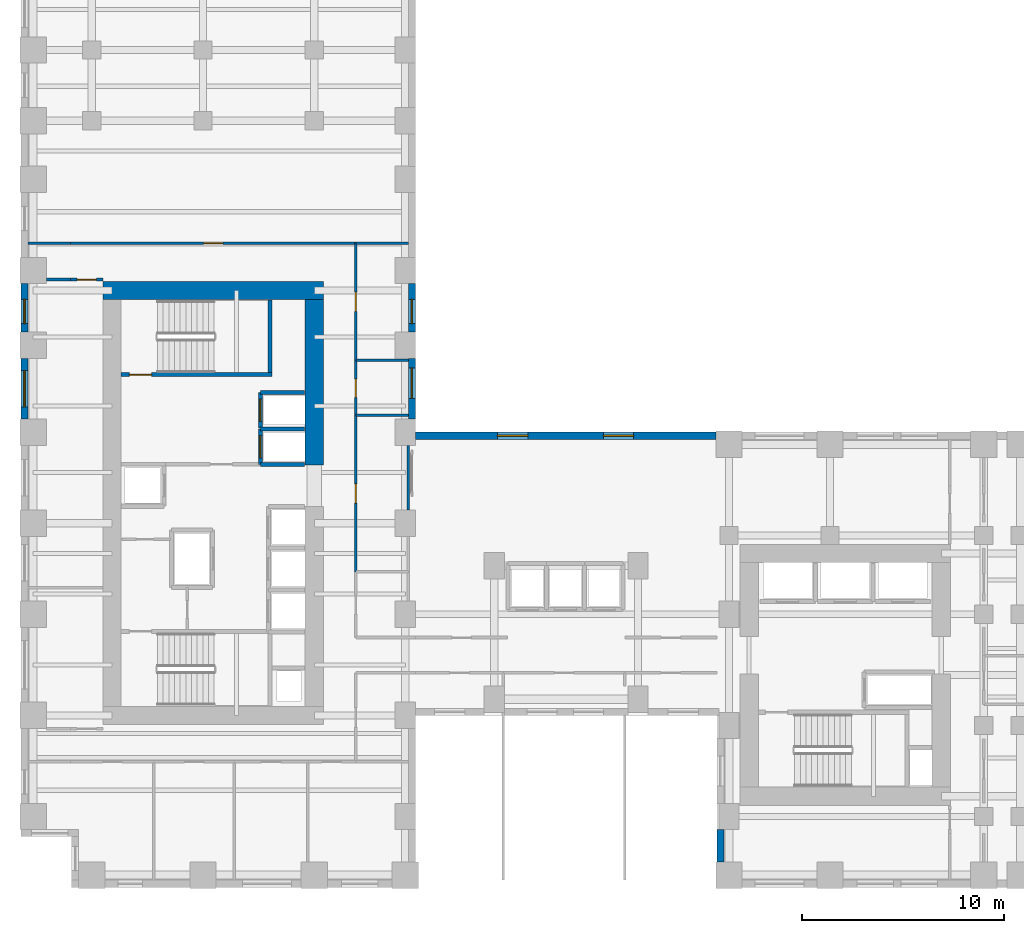
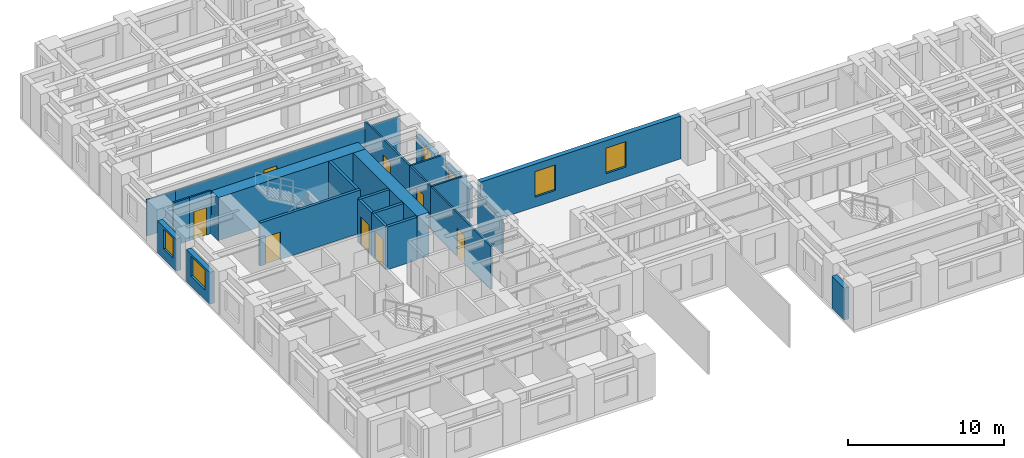
# One storey, part 7 of 12: 26 walls, 8 doors, 6 windows, 14 openings.
"""IFC4 building model written with IfcOpenShell, lengths in metres."""

from ifc_helpers import new_model, si_unit, direction, frame, frame_2d, origin, place, context, subcontext, project, spatial, rectangle, extrude, source, transform, mapped, material, layer, layer_set, type_object, element, fill, save


model = new_model("IFC4")

# Units and contexts
model_context = context("Model", 3, precision=1e-05, world=origin(), true_north=direction((0.0, 1.0)))
body_context = subcontext(model_context, "Body", "Model", "MODEL_VIEW")
ifc_project = project(units=[si_unit("LENGTHUNIT", "METRE"), si_unit("AREAUNIT", "SQUARE_METRE"), si_unit("VOLUMEUNIT", "CUBIC_METRE"), si_unit("PLANEANGLEUNIT", "RADIAN"), si_unit("MASSUNIT", "GRAM", prefix="KILO")], contexts=[model_context])

# Site, building, storey
site_placement = place(None, origin())
site = spatial("IfcSite", under=ifc_project, at=site_placement, CompositionType="ELEMENT")
building_placement = place(site_placement, origin())
building = spatial("IfcBuilding", under=site, at=building_placement, Name="Kharzan Plaza Tower", CompositionType="ELEMENT")
storey_placement = place(building_placement, frame((0.0, 0.0, 51.300048828125)))
storey = spatial("IfcBuildingStorey", under=building, at=storey_placement, Name="L13", CompositionType="ELEMENT", Elevation=51.300048828125)

# Wall, opening, window
ifc_material_1 = material(Name="Concrete C40/50", Category="concrete")
ifc_layer_1 = layer(ifc_material_1, 0.35009765625)
ifc_layer_set_1 = layer_set([ifc_layer_1], Name="Concrete C40/50")
wall_type_1 = type_object("IfcWallType", Name="WL-EXT-MAS-Z1", PredefinedType="SOLIDWALL", material=ifc_layer_set_1)
wall_1_placement = place(storey_placement, frame((0.175048828125, 29.85205078125, 0.0), z_axis=(0.0, 0.0, 1.0), x_axis=(0.0, -1.0, 0.0)))
wall_1 = element("IfcWall", 1, at=wall_1_placement, inside=storey, type_object=wall_type_1, Name="L13 Masonry-Frame Exterior Wall 14", PredefinedType="SOLIDWALL", context=body_context, shape_type="SweptSolid", body=[
    extrude(rectangle(XDim=2.404052734375, YDim=0.35009765625, at=frame_2d((1.2021484375, 0.0))), origin(), (0.0, 0.0, 1.0), 2.510009765625),
])
opening_1_placement = place(wall_1_placement, frame((0.786865234375, 0.0, 0.780029296875)))
opening_1 = element("IfcOpeningElement", 2, at=opening_1_placement, cuts=wall_1, Name="Opening W3", PredefinedType="OPENING", context=body_context, shape_type="SweptSolid", body=[
    extrude(rectangle(XDim=1.199951171875, YDim=1.550048828125, at=frame_2d((0.60009765625, 0.77490234375))), frame((0.0, 0.18505859375, 0.0), z_axis=(0.0, -1.0, 0.0), x_axis=(1.0, 0.0, 0.0)), (0.0, 0.0, 1.0), 0.3701171875),
])
ifc_material_2 = material(Name="Low-E Double Glazing", Category="glass")
window_type_1 = type_object("IfcWindowType", Name="WN-REC-1200x2100", PartitioningType="SINGLE_PANEL", PredefinedType="WINDOW", material=ifc_material_2)
shared_shape_1 = source(origin(), body_context, "Body", "SweptSolid", [
    extrude(rectangle(XDim=1.199951171875, YDim=1.550048828125, at=frame_2d((0.60009765625, 0.77490234375))), frame((0.0, 0.030029296875, 0.0), z_axis=(0.0, -1.0, 0.0), x_axis=(1.0, 0.0, 0.0)), (0.0, 0.0, 1.0), 0.06005859375),
])
window_1_placement = place(opening_1_placement, origin())
window_1 = element("IfcWindow", 3, at=window_1_placement, inside=storey, type_object=window_type_1, Name="L13 Recessed Solar-Control Window 14-1", OverallHeight=1.550048828125, OverallWidth=1.199951171875, PartitioningType="SINGLE_PANEL", PredefinedType="WINDOW", context=body_context, shape_type="MappedRepresentation", body=[
    mapped(shared_shape_1, transform((0.0, 0.0, 0.0), x_axis=(1.0, 0.0, 0.0), y_axis=(0.0, 1.0, 0.0), z_axis=(0.0, 0.0, 1.0))),
])
fill(opening_1, window_1)

wall_2_placement = place(storey_placement, frame((0.175048828125, 26.152099609375, 0.0), z_axis=(0.0, 0.0, 1.0), x_axis=(0.0, -1.0, 0.0)))
wall_2 = element("IfcWall", 4, at=wall_2_placement, inside=storey, type_object=wall_type_1, Name="L13 Masonry-Frame Exterior Wall 15", PredefinedType="SOLIDWALL", context=body_context, shape_type="SweptSolid", body=[
    extrude(rectangle(XDim=3.004150390625, YDim=0.35009765625, at=frame_2d((1.501953125, 0.0))), origin(), (0.0, 0.0, 1.0), 2.510009765625),
])
opening_2_placement = place(wall_2_placement, frame((0.60205078125, 0.0, 0.780029296875)))
opening_2 = element("IfcOpeningElement", 5, at=opening_2_placement, cuts=wall_2, Name="Opening W1", PredefinedType="OPENING", context=body_context, shape_type="SweptSolid", body=[
    extrude(rectangle(XDim=1.800048828125, YDim=1.550048828125, at=frame_2d((0.89990234375, 0.77490234375))), frame((0.0, 0.18505859375, 0.0), z_axis=(0.0, -1.0, 0.0), x_axis=(1.0, 0.0, 0.0)), (0.0, 0.0, 1.0), 0.3701171875),
])
window_type_2 = type_object("IfcWindowType", Name="WN-REC-1800x2100", PartitioningType="SINGLE_PANEL", PredefinedType="WINDOW", material=ifc_material_2)
shared_shape_2 = source(origin(), body_context, "Body", "SweptSolid", [
    extrude(rectangle(XDim=1.800048828125, YDim=1.550048828125, at=frame_2d((0.89990234375, 0.77490234375))), frame((0.0, 0.030029296875, 0.0), z_axis=(0.0, -1.0, 0.0), x_axis=(1.0, 0.0, 0.0)), (0.0, 0.0, 1.0), 0.06005859375),
])
window_2_placement = place(opening_2_placement, origin())
window_2 = element("IfcWindow", 6, at=window_2_placement, inside=storey, type_object=window_type_2, Name="L13 Recessed Solar-Control Window 15-1", OverallHeight=1.550048828125, OverallWidth=1.800048828125, PartitioningType="SINGLE_PANEL", PredefinedType="WINDOW", context=body_context, shape_type="MappedRepresentation", body=[
    mapped(shared_shape_2, transform((0.0, 0.0, 0.0), x_axis=(1.0, 0.0, 0.0), y_axis=(0.0, 1.0, 0.0), z_axis=(0.0, 0.0, 1.0))),
])
fill(opening_2, window_2)

# Wall, openings, windows
wall_3_placement = place(storey_placement, frame((34.35205078125, 22.324951171875, 0.0), z_axis=(0.0, 0.0, 1.0), x_axis=(-1.0, 0.0, 0.0)))
wall_3 = element("IfcWall", 7, at=wall_3_placement, inside=storey, type_object=wall_type_1, Name="L13 Masonry-Frame Exterior Wall 53", PredefinedType="SOLIDWALL", context=body_context, shape_type="SweptSolid", body=[
    extrude(rectangle(XDim=14.85400390625, YDim=0.35009765625, at=frame_2d((7.427001953125, 0.0))), origin(), (0.0, 0.0, 1.0), 3.364990234375),
])
opening_3_placement = place(wall_3_placement, frame((4.05810546875, 0.0, 0.780029296875)))
opening_3 = element("IfcOpeningElement", 8, at=opening_3_placement, cuts=wall_3, Name="Opening W5", PredefinedType="OPENING", context=body_context, shape_type="SweptSolid", body=[
    extrude(rectangle(XDim=1.5, YDim=2.0, at=frame_2d((0.75, 1.0))), frame((0.0, 0.18505859375, 0.0), z_axis=(0.0, -1.0, 0.0), x_axis=(1.0, 0.0, 0.0)), (0.0, 0.0, 1.0), 0.3701171875),
])
opening_4_placement = place(wall_3_placement, frame((9.2958984375, 0.0, 0.780029296875)))
opening_4 = element("IfcOpeningElement", 9, at=opening_4_placement, cuts=wall_3, Name="Opening W5", PredefinedType="OPENING", context=body_context, shape_type="SweptSolid", body=[
    extrude(rectangle(XDim=1.5, YDim=2.0, at=frame_2d((0.75, 1.0))), frame((0.0, 0.18505859375, 0.0), z_axis=(0.0, -1.0, 0.0), x_axis=(1.0, 0.0, 0.0)), (0.0, 0.0, 1.0), 0.3701171875),
])
window_type_3 = type_object("IfcWindowType", Name="WN-SLT-1500x2000", PartitioningType="SINGLE_PANEL", PredefinedType="WINDOW", material=ifc_material_2)
shared_shape_3 = source(origin(), body_context, "Body", "SweptSolid", [
    extrude(rectangle(XDim=1.5, YDim=2.0, at=frame_2d((0.75, 1.0))), frame((0.0, 0.030029296875, 0.0), z_axis=(0.0, -1.0, 0.0), x_axis=(1.0, 0.0, 0.0)), (0.0, 0.0, 1.0), 0.06005859375),
])
window_3_placement = place(opening_3_placement, origin())
window_3 = element("IfcWindow", 10, at=window_3_placement, inside=storey, type_object=window_type_3, Name="L13 Recessed Solar-Control Window 53-1", OverallHeight=2.0, OverallWidth=1.5, PartitioningType="SINGLE_PANEL", PredefinedType="WINDOW", context=body_context, shape_type="MappedRepresentation", body=[
    mapped(shared_shape_3, transform((0.0, 0.0, 0.0), x_axis=(1.0, 0.0, 0.0), y_axis=(0.0, 1.0, 0.0), z_axis=(0.0, 0.0, 1.0))),
])
fill(opening_3, window_3)
window_4_placement = place(opening_4_placement, origin())
window_4 = element("IfcWindow", 11, at=window_4_placement, inside=storey, type_object=window_type_3, Name="L13 Recessed Solar-Control Window 53-2", OverallHeight=2.0, OverallWidth=1.5, PartitioningType="SINGLE_PANEL", PredefinedType="WINDOW", context=body_context, shape_type="MappedRepresentation", body=[
    mapped(shared_shape_3, transform((0.0, 0.0, 0.0), x_axis=(1.0, 0.0, 0.0), y_axis=(0.0, 1.0, 0.0), z_axis=(0.0, 0.0, 1.0))),
])
fill(opening_4, window_4)

# Wall, opening, window
wall_4_placement = place(storey_placement, frame((19.324951171875, 23.14794921875, 0.0), z_axis=(0.0, 0.0, 1.0), x_axis=(0.0, 1.0, 0.0)))
wall_4 = element("IfcWall", 12, at=wall_4_placement, inside=storey, type_object=wall_type_1, Name="L13 Masonry-Frame Exterior Wall 54", PredefinedType="SOLIDWALL", context=body_context, shape_type="SweptSolid", body=[
    extrude(rectangle(XDim=3.004150390625, YDim=0.35009765625, at=frame_2d((1.501953125, 0.0))), origin(), (0.0, 0.0, 1.0), 2.510009765625),
])
opening_5_placement = place(wall_4_placement, frame((1.030517578125, 0.0, 0.780029296875)))
opening_5 = element("IfcOpeningElement", 13, at=opening_5_placement, cuts=wall_4, Name="Opening W5", PredefinedType="OPENING", context=body_context, shape_type="SweptSolid", body=[
    extrude(rectangle(XDim=1.5, YDim=1.550048828125, at=frame_2d((0.75, 0.77490234375))), frame((0.0, 0.18505859375, 0.0), z_axis=(0.0, -1.0, 0.0), x_axis=(1.0, 0.0, 0.0)), (0.0, 0.0, 1.0), 0.3701171875),
])
shared_shape_4 = source(origin(), body_context, "Body", "SweptSolid", [
    extrude(rectangle(XDim=1.5, YDim=1.550048828125, at=frame_2d((0.75, 0.77490234375))), frame((0.0, 0.030029296875, 0.0), z_axis=(0.0, -1.0, 0.0), x_axis=(1.0, 0.0, 0.0)), (0.0, 0.0, 1.0), 0.06005859375),
])
window_5_placement = place(opening_5_placement, origin())
window_5 = element("IfcWindow", 14, at=window_5_placement, inside=storey, type_object=window_type_3, Name="L13 Recessed Solar-Control Window 54-1", OverallHeight=1.550048828125, OverallWidth=1.5, PartitioningType="SINGLE_PANEL", PredefinedType="WINDOW", context=body_context, shape_type="MappedRepresentation", body=[
    mapped(shared_shape_4, transform((0.0, 0.0, 0.0), x_axis=(1.0, 0.0, 0.0), y_axis=(0.0, 1.0, 0.0), z_axis=(0.0, 0.0, 1.0))),
])
fill(opening_5, window_5)

wall_5_placement = place(storey_placement, frame((19.324951171875, 27.447998046875, 0.0), z_axis=(0.0, 0.0, 1.0), x_axis=(0.0, 1.0, 0.0)))
wall_5 = element("IfcWall", 15, at=wall_5_placement, inside=storey, type_object=wall_type_1, Name="L13 Masonry-Frame Exterior Wall 55", PredefinedType="SOLIDWALL", context=body_context, shape_type="SweptSolid", body=[
    extrude(rectangle(XDim=2.404052734375, YDim=0.35009765625, at=frame_2d((1.2021484375, 0.0))), origin(), (0.0, 0.0, 1.0), 2.510009765625),
])
opening_6_placement = place(wall_5_placement, frame((0.417236328125, 0.0, 0.780029296875)))
opening_6 = element("IfcOpeningElement", 16, at=opening_6_placement, cuts=wall_5, Name="Opening W3", PredefinedType="OPENING", context=body_context, shape_type="SweptSolid", body=[
    extrude(rectangle(XDim=1.199951171875, YDim=1.550048828125, at=frame_2d((0.60009765625, 0.77490234375))), frame((0.0, 0.18505859375, 0.0), z_axis=(0.0, -1.0, 0.0), x_axis=(1.0, 0.0, 0.0)), (0.0, 0.0, 1.0), 0.3701171875),
])
window_6_placement = place(opening_6_placement, origin())
window_6 = element("IfcWindow", 17, at=window_6_placement, inside=storey, type_object=window_type_1, Name="L13 Recessed Solar-Control Window 55-1", OverallHeight=1.550048828125, OverallWidth=1.199951171875, PartitioningType="SINGLE_PANEL", PredefinedType="WINDOW", context=body_context, shape_type="MappedRepresentation", body=[
    mapped(shared_shape_1, transform((0.0, 0.0, 0.0), x_axis=(1.0, 0.0, 0.0), y_axis=(0.0, 1.0, 0.0), z_axis=(0.0, 0.0, 1.0))),
])
fill(opening_6, window_6)

# Wall, opening, door
ifc_material_3 = material(Name="Fire-Rated Gypsum Board Partition", Category="gypsum")
ifc_layer_2 = layer(ifc_material_3, 0.125)
ifc_layer_set_2 = layer_set([ifc_layer_2], Name="Fire-Rated Gypsum Board Partition")
wall_type_2 = type_object("IfcWallType", Name="WL-INT-PART-125", PredefinedType="PARTITIONING", material=ifc_layer_set_2)
wall_6_placement = place(storey_placement, frame((16.550048828125, 15.60009765625, 0.0), z_axis=(0.0, 0.0, 1.0), x_axis=(0.0, 1.0, 0.0)))
wall_6 = element("IfcWall", 18, at=wall_6_placement, inside=storey, type_object=wall_type_2, Name="L13 Interior Partition SH-AEWN2", PredefinedType="PARTITIONING", context=body_context, shape_type="SweptSolid", body=[
    extrude(rectangle(XDim=7.75, YDim=0.125, at=frame_2d((3.875, 0.0))), origin(), (0.0, 0.0, 1.0), 3.364990234375),
])
opening_7_placement = place(wall_6_placement, frame((3.39990234375, 0.0, 0.0)))
opening_7 = element("IfcOpeningElement", 19, at=opening_7_placement, cuts=wall_6, Name="Opening OD1", PredefinedType="OPENING", context=body_context, shape_type="SweptSolid", body=[
    extrude(rectangle(XDim=0.949951171875, YDim=2.14990234375, at=frame_2d((0.47509765625, 1.074951171875))), frame((0.0, 0.072509765625, 0.0), z_axis=(0.0, -1.0, 0.0), x_axis=(1.0, 0.0, 0.0)), (0.0, 0.0, 1.0), 0.14501953125),
])
ifc_material_4 = material(Name="Acoustic Solid-Core Stained Oak", Category="timber")
door_type_1 = type_object("IfcDoorType", Name="DR-OFF-SINGLE", OperationType="NOTDEFINED", PredefinedType="DOOR", material=ifc_material_4)
shared_shape_5 = source(origin(), body_context, "Body", "SweptSolid", [
    extrude(rectangle(XDim=0.949951171875, YDim=2.14990234375, at=frame_2d((0.47509765625, 1.074951171875))), frame((0.0, 0.02490234375, 0.0), z_axis=(0.0, -1.0, 0.0), x_axis=(1.0, 0.0, 0.0)), (0.0, 0.0, 1.0), 0.050048828125),
])
door_1_placement = place(opening_7_placement, origin())
door_1 = element("IfcDoor", 20, at=door_1_placement, inside=storey, type_object=door_type_1, Name="L13 Slot Studio Door", OperationType="SINGLE_SWING_LEFT", OverallHeight=2.14990234375, OverallWidth=0.949951171875, PredefinedType="DOOR", context=body_context, shape_type="MappedRepresentation", body=[
    mapped(shared_shape_5, transform((0.0, 0.0, 0.0), x_axis=(1.0, 0.0, 0.0), y_axis=(0.0, 1.0, 0.0), z_axis=(0.0, 0.0, 1.0))),
])
fill(opening_7, door_1)

wall_7_placement = place(storey_placement, frame((16.550048828125, 26.050048828125, 0.0), z_axis=(0.0, 0.0, 1.0), x_axis=(0.0, 1.0, 0.0)))
wall_7 = element("IfcWall", 21, at=wall_7_placement, inside=storey, type_object=wall_type_2, Name="L13 Interior Partition SH-AEWN3", PredefinedType="PARTITIONING", context=body_context, shape_type="SweptSolid", body=[
    extrude(rectangle(XDim=5.800048828125, YDim=0.125, at=frame_2d((2.89990234375, 0.0))), origin(), (0.0, 0.0, 1.0), 3.364990234375),
])
opening_8_placement = place(wall_7_placement, frame((2.425048828125, 0.0, 0.0)))
opening_8 = element("IfcOpeningElement", 22, at=opening_8_placement, cuts=wall_7, Name="Opening OD1", PredefinedType="OPENING", context=body_context, shape_type="SweptSolid", body=[
    extrude(rectangle(XDim=0.949951171875, YDim=2.14990234375, at=frame_2d((0.47509765625, 1.074951171875))), frame((0.0, 0.072509765625, 0.0), z_axis=(0.0, -1.0, 0.0), x_axis=(1.0, 0.0, 0.0)), (0.0, 0.0, 1.0), 0.14501953125),
])
door_2_placement = place(opening_8_placement, origin())
door_2 = element("IfcDoor", 23, at=door_2_placement, inside=storey, type_object=door_type_1, Name="L13 Staff Tea Point Door", OperationType="SINGLE_SWING_LEFT", OverallHeight=2.14990234375, OverallWidth=0.949951171875, PredefinedType="DOOR", context=body_context, shape_type="MappedRepresentation", body=[
    mapped(shared_shape_5, transform((0.0, 0.0, 0.0), x_axis=(1.0, 0.0, 0.0), y_axis=(0.0, 1.0, 0.0), z_axis=(0.0, 0.0, 1.0))),
])
fill(opening_8, door_2)

wall_8_placement = place(storey_placement, frame((16.550048828125, 23.35009765625, 0.0), z_axis=(0.0, 0.0, 1.0), x_axis=(0.0, 1.0, 0.0)))
wall_8 = element("IfcWall", 24, at=wall_8_placement, inside=storey, type_object=wall_type_2, Name="L13 Interior Partition SH-AEWW", PredefinedType="PARTITIONING", context=body_context, shape_type="SweptSolid", body=[
    extrude(rectangle(XDim=2.699951171875, YDim=0.125, at=frame_2d((1.35009765625, 0.0))), origin(), (0.0, 0.0, 1.0), 3.364990234375),
])
opening_9_placement = place(wall_8_placement, frame((0.875, 0.0, 0.0)))
opening_9 = element("IfcOpeningElement", 25, at=opening_9_placement, cuts=wall_8, Name="Opening WD1", PredefinedType="OPENING", context=body_context, shape_type="SweptSolid", body=[
    extrude(rectangle(XDim=0.89990234375, YDim=2.14990234375, at=frame_2d((0.449951171875, 1.074951171875))), frame((0.0, 0.072509765625, 0.0), z_axis=(0.0, -1.0, 0.0), x_axis=(1.0, 0.0, 0.0)), (0.0, 0.0, 1.0), 0.14501953125),
])
ifc_material_5 = material(Name="Moisture-Resistant Fire-Rated Laminate", Category="timber")
door_type_2 = type_object("IfcDoorType", Name="DR-WC-900", OperationType="NOTDEFINED", PredefinedType="DOOR", material=ifc_material_5)
shared_shape_6 = source(origin(), body_context, "Body", "SweptSolid", [
    extrude(rectangle(XDim=0.89990234375, YDim=2.14990234375, at=frame_2d((0.449951171875, 1.074951171875))), frame((0.0, 0.02490234375, 0.0), z_axis=(0.0, -1.0, 0.0), x_axis=(1.0, 0.0, 0.0)), (0.0, 0.0, 1.0), 0.050048828125),
])
door_3_placement = place(opening_9_placement, origin())
door_3 = element("IfcDoor", 26, at=door_3_placement, inside=storey, type_object=door_type_2, Name="L13 Wing A Washroom Door", OperationType="SINGLE_SWING_RIGHT", OverallHeight=2.14990234375, OverallWidth=0.89990234375, PredefinedType="DOOR", context=body_context, shape_type="MappedRepresentation", body=[
    mapped(shared_shape_6, transform((0.0, 0.0, 0.0), x_axis=(1.0, 0.0, 0.0), y_axis=(0.0, 1.0, 0.0), z_axis=(0.0, 0.0, 1.0))),
])
fill(opening_9, door_3)

wall_9_placement = place(storey_placement, frame((2.449951171875, 31.85009765625, 0.0), z_axis=(0.0, 0.0, 1.0), x_axis=(1.0, 0.0, 0.0)))
wall_9 = element("IfcWall", 27, at=wall_9_placement, inside=storey, type_object=wall_type_2, Name="L13 Interior Partition SH-NN-1", PredefinedType="PARTITIONING", context=body_context, shape_type="SweptSolid", body=[
    extrude(rectangle(XDim=14.10009765625, YDim=0.125, at=frame_2d((7.050048828125, 0.0))), origin(), (0.0, 0.0, 1.0), 2.827880859375),
])
opening_10_placement = place(wall_9_placement, frame((6.574951171875, 0.0, 0.0)))
opening_10 = element("IfcOpeningElement", 28, at=opening_10_placement, cuts=wall_9, Name="Opening OD1", PredefinedType="OPENING", context=body_context, shape_type="SweptSolid", body=[
    extrude(rectangle(XDim=0.949951171875, YDim=2.14990234375, at=frame_2d((0.47509765625, 1.074951171875))), frame((0.0, 0.072509765625, 0.0), z_axis=(0.0, -1.0, 0.0), x_axis=(1.0, 0.0, 0.0)), (0.0, 0.0, 1.0), 0.14501953125),
])
door_4_placement = place(opening_10_placement, origin())
door_4 = element("IfcDoor", 29, at=door_4_placement, inside=storey, type_object=door_type_1, Name="L13 Executive Boardroom Door", OperationType="SINGLE_SWING_RIGHT", OverallHeight=2.14990234375, OverallWidth=0.949951171875, PredefinedType="DOOR", context=body_context, shape_type="MappedRepresentation", body=[
    mapped(shared_shape_5, transform((0.0, 0.0, 0.0), x_axis=(1.0, 0.0, 0.0), y_axis=(0.0, 1.0, 0.0), z_axis=(0.0, 0.0, 1.0))),
])
fill(opening_10, door_4)

wall_10_placement = place(storey_placement, frame((2.449951171875, 30.050048828125, 0.0), z_axis=(0.0, 0.0, 1.0), x_axis=(1.0, 0.0, 0.0)))
wall_10 = element("IfcWall", 30, at=wall_10_placement, inside=storey, type_object=wall_type_2, Name="L13 Interior Partition SH-RWND", PredefinedType="PARTITIONING", context=body_context, shape_type="SweptSolid", body=[
    extrude(rectangle(XDim=1.60009765625, YDim=0.125, at=frame_2d((0.800048828125, 0.0))), origin(), (0.0, 0.0, 1.0), 3.364990234375),
])
opening_11_placement = place(wall_10_placement, frame((0.324951171875, 0.0, 0.0)))
opening_11 = element("IfcOpeningElement", 31, at=opening_11_placement, cuts=wall_10, Name="Opening OD1", PredefinedType="OPENING", context=body_context, shape_type="SweptSolid", body=[
    extrude(rectangle(XDim=0.949951171875, YDim=2.14990234375, at=frame_2d((0.47509765625, 1.074951171875))), frame((0.0, 0.072509765625, 0.0), z_axis=(0.0, -1.0, 0.0), x_axis=(1.0, 0.0, 0.0)), (0.0, 0.0, 1.0), 0.14501953125),
])
door_5_placement = place(opening_11_placement, origin())
door_5 = element("IfcDoor", 32, at=door_5_placement, inside=storey, type_object=door_type_1, Name="L13 West Office 2 Door", OperationType="SINGLE_SWING_LEFT", OverallHeight=2.14990234375, OverallWidth=0.949951171875, PredefinedType="DOOR", context=body_context, shape_type="MappedRepresentation", body=[
    mapped(shared_shape_5, transform((0.0, 0.0, 0.0), x_axis=(1.0, 0.0, 0.0), y_axis=(0.0, 1.0, 0.0), z_axis=(0.0, 0.0, 1.0))),
])
fill(opening_11, door_5)

ifc_layer_3 = layer(ifc_material_1, 0.199951171875)
ifc_layer_set_3 = layer_set([ifc_layer_3], Name="Concrete C40/50")
wall_type_3 = type_object("IfcWallType", Name="WL-INT-SHAFT-200", PredefinedType="PARTITIONING", material=ifc_layer_set_3)
wall_11_placement = place(storey_placement, frame((11.830078125, 20.89990234375, 0.0), z_axis=(0.0, 0.0, 1.0), x_axis=(0.0, 1.0, 0.0)))
wall_11 = element("IfcWall", 33, at=wall_11_placement, inside=storey, type_object=wall_type_3, Name="L13 Interior Partition SHF-FFL-1-W", PredefinedType="PARTITIONING", context=body_context, shape_type="SweptSolid", body=[
    extrude(rectangle(XDim=1.760009765625, YDim=0.199951171875, at=frame_2d((0.8798828125, 0.0))), origin(), (0.0, 0.0, 1.0), 3.364990234375),
])
opening_12_placement = place(wall_11_placement, frame((0.330078125, 0.0, 0.0)))
opening_12 = element("IfcOpeningElement", 34, at=opening_12_placement, cuts=wall_11, Name="Opening LD", PredefinedType="OPENING", context=body_context, shape_type="SweptSolid", body=[
    extrude(rectangle(XDim=1.10009765625, YDim=2.199951171875, at=frame_2d((0.550048828125, 1.10009765625))), frame((0.0, 0.10986328125, 0.0), z_axis=(0.0, -1.0, 0.0), x_axis=(1.0, 0.0, 0.0)), (0.0, 0.0, 1.0), 0.219970703125),
])
ifc_material_6 = material(Name="Brushed Stainless Steel", Category="steel")
door_type_3 = type_object("IfcDoorType", Name="DR-LIFT-SLIDE", OperationType="SLIDING_TO_LEFT", PredefinedType="DOOR", material=ifc_material_6)
shared_shape_7 = source(origin(), body_context, "Body", "SweptSolid", [
    extrude(rectangle(XDim=1.10009765625, YDim=2.199951171875, at=frame_2d((0.550048828125, 1.10009765625))), frame((0.0, 0.02490234375, 0.0), z_axis=(0.0, -1.0, 0.0), x_axis=(1.0, 0.0, 0.0)), (0.0, 0.0, 1.0), 0.050048828125),
])
door_6_placement = place(opening_12_placement, origin())
door_6 = element("IfcDoor", 35, at=door_6_placement, inside=storey, type_object=door_type_3, Name="L13 Firefighting Lift FFL-1 Sliding Landing Door", OperationType="SLIDING_TO_LEFT", OverallHeight=2.199951171875, OverallWidth=1.10009765625, PredefinedType="DOOR", context=body_context, shape_type="MappedRepresentation", body=[
    mapped(shared_shape_7, transform((0.0, 0.0, 0.0), x_axis=(1.0, 0.0, 0.0), y_axis=(0.0, 1.0, 0.0), z_axis=(0.0, 0.0, 1.0))),
])
fill(opening_12, door_6)

wall_12_placement = place(storey_placement, frame((11.830078125, 22.699951171875, 0.0), z_axis=(0.0, 0.0, 1.0), x_axis=(0.0, 1.0, 0.0)))
wall_12 = element("IfcWall", 36, at=wall_12_placement, inside=storey, type_object=wall_type_3, Name="L13 Interior Partition SHF-FFL-2-W", PredefinedType="PARTITIONING", context=body_context, shape_type="SweptSolid", body=[
    extrude(rectangle(XDim=1.760009765625, YDim=0.199951171875, at=frame_2d((0.8798828125, 0.0))), origin(), (0.0, 0.0, 1.0), 3.364990234375),
])
opening_13_placement = place(wall_12_placement, frame((0.330078125, 0.0, 0.0)))
opening_13 = element("IfcOpeningElement", 37, at=opening_13_placement, cuts=wall_12, Name="Opening LD", PredefinedType="OPENING", context=body_context, shape_type="SweptSolid", body=[
    extrude(rectangle(XDim=1.10009765625, YDim=2.199951171875, at=frame_2d((0.550048828125, 1.10009765625))), frame((0.0, 0.10986328125, 0.0), z_axis=(0.0, -1.0, 0.0), x_axis=(1.0, 0.0, 0.0)), (0.0, 0.0, 1.0), 0.219970703125),
])
door_7_placement = place(opening_13_placement, origin())
door_7 = element("IfcDoor", 38, at=door_7_placement, inside=storey, type_object=door_type_3, Name="L13 Firefighting Lift FFL-2 Sliding Landing Door", OperationType="SLIDING_TO_LEFT", OverallHeight=2.199951171875, OverallWidth=1.10009765625, PredefinedType="DOOR", context=body_context, shape_type="MappedRepresentation", body=[
    mapped(shared_shape_7, transform((0.0, 0.0, 0.0), x_axis=(1.0, 0.0, 0.0), y_axis=(0.0, 1.0, 0.0), z_axis=(0.0, 0.0, 1.0))),
])
fill(opening_13, door_7)

ifc_material_7 = material(Name="Concrete C50/60", Category="concrete")
ifc_layer_4 = layer(ifc_material_7, 0.199951171875)
ifc_layer_set_4 = layer_set([ifc_layer_4], Name="Concrete C50/60")
wall_type_4 = type_object("IfcWallType", Name="WL-SHAFT-RC200", PredefinedType="SHEAR", material=ifc_layer_set_4)
wall_13_placement = place(storey_placement, frame((4.951904296875, 25.344970703125, 0.0), z_axis=(0.0, 0.0, 1.0), x_axis=(1.0, 0.0, 0.0)))
wall_13 = element("IfcWall", 39, at=wall_13_placement, inside=storey, type_object=wall_type_4, Name="L13 Stair ST-2 South RC Shaft Wall", PredefinedType="SHEAR", context=body_context, shape_type="SweptSolid", body=[
    extrude(rectangle(XDim=7.453125, YDim=0.199951171875, at=frame_2d((3.7265625, 0.0))), origin(), (0.0, 0.0, 1.0), 3.3798828125),
])
opening_14_placement = place(wall_13_placement, frame((0.39990234375, 0.0, 0.0)))
opening_14 = element("IfcOpeningElement", 40, at=opening_14_placement, cuts=wall_13, Name="Opening SD1", PredefinedType="OPENING", context=body_context, shape_type="SweptSolid", body=[
    extrude(rectangle(XDim=1.10009765625, YDim=2.14990234375, at=frame_2d((0.550048828125, 1.074951171875))), frame((0.0, 0.10986328125, 0.0), z_axis=(0.0, -1.0, 0.0), x_axis=(1.0, 0.0, 0.0)), (0.0, 0.0, 1.0), 0.219970703125),
])
ifc_material_8 = material(Name="Fire-Rated Hollow Galvanized Steel", Category="steel")
door_type_4 = type_object("IfcDoorType", Name="DR-STAIR-FD120", OperationType="NOTDEFINED", PredefinedType="DOOR", material=ifc_material_8)
shared_shape_8 = source(origin(), body_context, "Body", "SweptSolid", [
    extrude(rectangle(XDim=1.10009765625, YDim=2.14990234375, at=frame_2d((0.550048828125, 1.074951171875))), frame((0.0, 0.02490234375, 0.0), z_axis=(0.0, -1.0, 0.0), x_axis=(1.0, 0.0, 0.0)), (0.0, 0.0, 1.0), 0.050048828125),
])
door_8_placement = place(opening_14_placement, origin())
door_8 = element("IfcDoor", 41, at=door_8_placement, inside=storey, type_object=door_type_4, Name="L13 Stair ST-2 Fire Exit Door", OperationType="SINGLE_SWING_LEFT", OverallHeight=2.14990234375, OverallWidth=1.10009765625, PredefinedType="DOOR", context=body_context, shape_type="MappedRepresentation", body=[
    mapped(shared_shape_8, transform((0.0, 0.0, 0.0), x_axis=(1.0, 0.0, 0.0), y_axis=(0.0, 1.0, 0.0), z_axis=(0.0, 0.0, 1.0))),
])
fill(opening_14, door_8)

# Walls
ifc_material_9 = material(Name="Concrete C60/75", Category="concrete")
ifc_layer_5 = layer(ifc_material_9, 0.89990234375)
ifc_layer_set_5 = layer_set([ifc_layer_5], Name="Concrete C60/75")
wall_type_5 = type_object("IfcWallType", Name="WL-CORE-900", PredefinedType="SHEAR", material=ifc_layer_set_5)
shared_shape_9 = source(origin(), body_context, "Body", "SweptSolid", [
    extrude(rectangle(XDim=8.170166015625, YDim=0.89990234375, at=frame_2d((4.0849609375, 0.0))), origin(), (0.0, 0.0, 1.0), 3.3798828125),
])
wall_14_placement = place(storey_placement, frame((14.5, 20.8798828125, 0.0), z_axis=(0.0, 0.0, 1.0), x_axis=(0.0, 1.0, 0.0)))
element("IfcWall", 42, at=wall_14_placement, inside=storey, type_object=wall_type_5, Name="L13 CORE-A east shear pier 2", PredefinedType="SHEAR", context=body_context, shape_type="MappedRepresentation", body=[
    mapped(shared_shape_9, transform((0.0, 0.0, 0.0), x_axis=(1.0, 0.0, 0.0), y_axis=(0.0, 1.0, 0.0), z_axis=(0.0, 0.0, 1.0))),
])
shared_shape_10 = source(origin(), body_context, "Body", "SweptSolid", [
    extrude(rectangle(XDim=10.89990234375, YDim=0.89990234375, at=frame_2d((5.449951171875, 0.0))), origin(), (0.0, 0.0, 1.0), 3.3798828125),
])
wall_15_placement = place(storey_placement, frame((4.050048828125, 29.5, 0.0), z_axis=(0.0, 0.0, 1.0), x_axis=(1.0, 0.0, 0.0)))
element("IfcWall", 43, at=wall_15_placement, inside=storey, type_object=wall_type_5, Name="L13 CORE-A north RC shear wall", PredefinedType="SHEAR", context=body_context, shape_type="MappedRepresentation", body=[
    mapped(shared_shape_10, transform((0.0, 0.0, 0.0), x_axis=(1.0, 0.0, 0.0), y_axis=(0.0, 1.0, 0.0), z_axis=(0.0, 0.0, 1.0))),
])
shared_shape_11 = source(origin(), body_context, "Body", "SweptSolid", [
    extrude(rectangle(XDim=1.60400390625, YDim=0.35009765625, at=frame_2d((0.802001953125, 0.0))), origin(), (0.0, 0.0, 1.0), 2.510009765625),
])
wall_16_placement = place(storey_placement, frame((34.574951171875, 2.85205078125, 0.0), z_axis=(0.0, 0.0, 1.0), x_axis=(0.0, -1.0, 0.0)))
element("IfcWall", 44, at=wall_16_placement, inside=storey, type_object=wall_type_1, Name="L13 Masonry-Frame Exterior Wall 32", PredefinedType="SOLIDWALL", context=body_context, shape_type="MappedRepresentation", body=[
    mapped(shared_shape_11, transform((0.0, 0.0, 0.0), x_axis=(1.0, 0.0, 0.0), y_axis=(0.0, 1.0, 0.0), z_axis=(0.0, 0.0, 1.0))),
])
shared_shape_12 = source(origin(), body_context, "Body", "SweptSolid", [
    extrude(rectangle(XDim=2.597900390625, YDim=0.125, at=frame_2d((1.298828125, 0.0))), origin(), (0.0, 0.0, 1.0), 3.364990234375),
])
for number, where, z_axis, x_axis, name in (
    (45, (16.550048828125, 23.35009765625, 0.0), (0.0, 0.0, 1.0), (1.0, 0.0, 0.0), "L13 Interior Partition SH-AEH-233"),
    (46, (16.550048828125, 26.050048828125, 0.0), (0.0, 0.0, 1.0), (1.0, 0.0, 0.0), "L13 Interior Partition SH-AEH-260"),
):
    element("IfcWall", number, at=place(storey_placement, frame(where, z_axis=z_axis, x_axis=x_axis)), inside=storey, type_object=wall_type_2, Name=name, PredefinedType="PARTITIONING", context=body_context, shape_type="MappedRepresentation", body=[
        mapped(shared_shape_12, transform((0.0, 0.0, 0.0), x_axis=(1.0, 0.0, 0.0), y_axis=(0.0, 1.0, 0.0), z_axis=(0.0, 0.0, 1.0))),
    ])
shared_shape_13 = source(origin(), body_context, "Body", "SweptSolid", [
    extrude(rectangle(XDim=3.18017578125, YDim=0.125, at=frame_2d((1.590087890625, 0.0))), origin(), (0.0, 0.0, 1.0), 2.669921875),
])
wall_17_placement = place(storey_placement, frame((19.14990234375, 18.659912109375, 0.0), z_axis=(0.0, 0.0, 1.0), x_axis=(0.0, 1.0, 0.0)))
element("IfcWall", 47, at=wall_17_placement, inside=storey, type_object=wall_type_2, Name="L13 Interior Partition SH-AEN-DIV-S2", PredefinedType="PARTITIONING", context=body_context, shape_type="MappedRepresentation", body=[
    mapped(shared_shape_13, transform((0.0, 0.0, 0.0), x_axis=(1.0, 0.0, 0.0), y_axis=(0.0, 1.0, 0.0), z_axis=(0.0, 0.0, 1.0))),
])
shared_shape_14 = source(origin(), body_context, "Body", "SweptSolid", [
    extrude(rectangle(XDim=1.18994140625, YDim=0.125, at=frame_2d((0.594970703125, 0.0))), origin(), (0.0, 0.0, 1.0), 3.364990234375),
])
wall_18_placement = place(storey_placement, frame((1.260009765625, 30.050048828125, 0.0), z_axis=(0.0, 0.0, 1.0), x_axis=(1.0, 0.0, 0.0)))
element("IfcWall", 48, at=wall_18_placement, inside=storey, type_object=wall_type_2, Name="L13 Interior Partition SH-RWN0", PredefinedType="PARTITIONING", context=body_context, shape_type="MappedRepresentation", body=[
    mapped(shared_shape_14, transform((0.0, 0.0, 0.0), x_axis=(1.0, 0.0, 0.0), y_axis=(0.0, 1.0, 0.0), z_axis=(0.0, 0.0, 1.0))),
])
shared_shape_15 = source(origin(), body_context, "Body", "SweptSolid", [
    extrude(rectangle(XDim=2.097900390625, YDim=0.125, at=frame_2d((1.048828125, 0.0))), origin(), (0.0, 0.0, 1.0), 2.827880859375),
])
wall_19_placement = place(storey_placement, frame((0.35205078125, 31.85009765625, 0.0), z_axis=(0.0, 0.0, 1.0), x_axis=(1.0, 0.0, 0.0)))
element("IfcWall", 49, at=wall_19_placement, inside=storey, type_object=wall_type_2, Name="L13 Interior Partition SH-NNW0", PredefinedType="PARTITIONING", context=body_context, shape_type="MappedRepresentation", body=[
    mapped(shared_shape_15, transform((0.0, 0.0, 0.0), x_axis=(1.0, 0.0, 0.0), y_axis=(0.0, 1.0, 0.0), z_axis=(0.0, 0.0, 1.0))),
])
shared_shape_16 = source(origin(), body_context, "Body", "SweptSolid", [
    extrude(rectangle(XDim=2.597900390625, YDim=0.125, at=frame_2d((1.298828125, 0.0))), origin(), (0.0, 0.0, 1.0), 2.827880859375),
])
wall_20_placement = place(storey_placement, frame((16.550048828125, 31.85009765625, 0.0), z_axis=(0.0, 0.0, 1.0), x_axis=(1.0, 0.0, 0.0)))
element("IfcWall", 50, at=wall_20_placement, inside=storey, type_object=wall_type_2, Name="L13 Interior Partition SH-NNE0", PredefinedType="PARTITIONING", context=body_context, shape_type="MappedRepresentation", body=[
    mapped(shared_shape_16, transform((0.0, 0.0, 0.0), x_axis=(1.0, 0.0, 0.0), y_axis=(0.0, 1.0, 0.0), z_axis=(0.0, 0.0, 1.0))),
])
shared_shape_17 = source(origin(), body_context, "Body", "SweptSolid", [
    extrude(rectangle(XDim=2.18994140625, YDim=0.199951171875, at=frame_2d((1.094970703125, 0.0))), origin(), (0.0, 0.0, 1.0), 3.364990234375),
])
for number, where, z_axis, x_axis, name in (
    (51, (11.830078125, 22.659912109375, 0.0), (0.0, 0.0, 1.0), (1.0, 0.0, 0.0), "L13 Interior Partition SHF-FFL-1-N"),
    (52, (11.830078125, 20.89990234375, 0.0), (0.0, 0.0, 1.0), (1.0, 0.0, 0.0), "L13 Interior Partition SHF-FFL-1-S"),
    (53, (11.830078125, 24.4599609375, 0.0), (0.0, 0.0, 1.0), (1.0, 0.0, 0.0), "L13 Interior Partition SHF-FFL-2-N"),
):
    element("IfcWall", number, at=place(storey_placement, frame(where, z_axis=z_axis, x_axis=x_axis)), inside=storey, type_object=wall_type_3, Name=name, PredefinedType="PARTITIONING", context=body_context, shape_type="MappedRepresentation", body=[
        mapped(shared_shape_17, transform((0.0, 0.0, 0.0), x_axis=(1.0, 0.0, 0.0), y_axis=(0.0, 1.0, 0.0), z_axis=(0.0, 0.0, 1.0))),
    ])
shared_shape_18 = source(origin(), body_context, "Body", "SweptSolid", [
    extrude(rectangle(XDim=3.60302734375, YDim=0.199951171875, at=frame_2d((1.801513671875, 0.0))), origin(), (0.0, 0.0, 1.0), 3.3798828125),
])
wall_21_placement = place(storey_placement, frame((12.304931640625, 25.445068359375, 0.0), z_axis=(0.0, 0.0, 1.0), x_axis=(0.0, 1.0, 0.0)))
element("IfcWall", 54, at=wall_21_placement, inside=storey, type_object=wall_type_4, Name="L13 Stair ST-2 East RC Shaft Wall", PredefinedType="SHEAR", context=body_context, shape_type="MappedRepresentation", body=[
    mapped(shared_shape_18, transform((0.0, 0.0, 0.0), x_axis=(1.0, 0.0, 0.0), y_axis=(0.0, 1.0, 0.0), z_axis=(0.0, 0.0, 1.0))),
])

save(model, "model.ifc")
